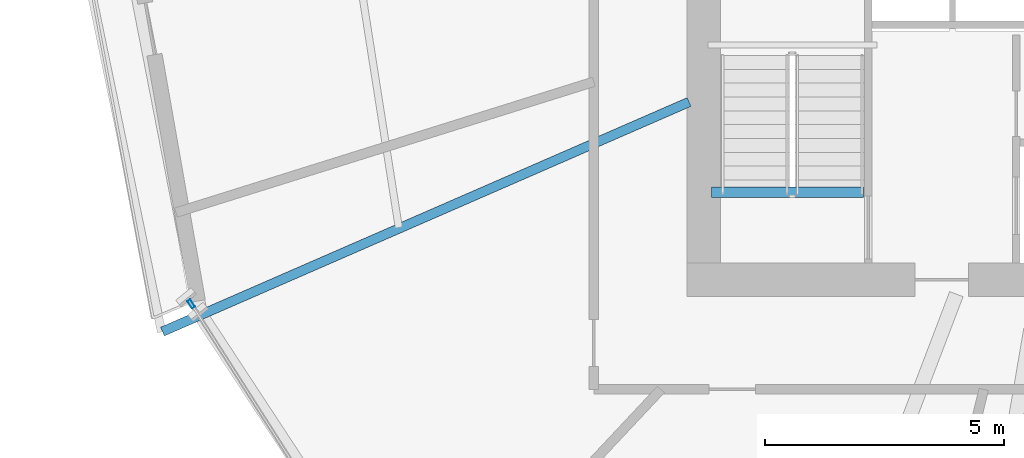
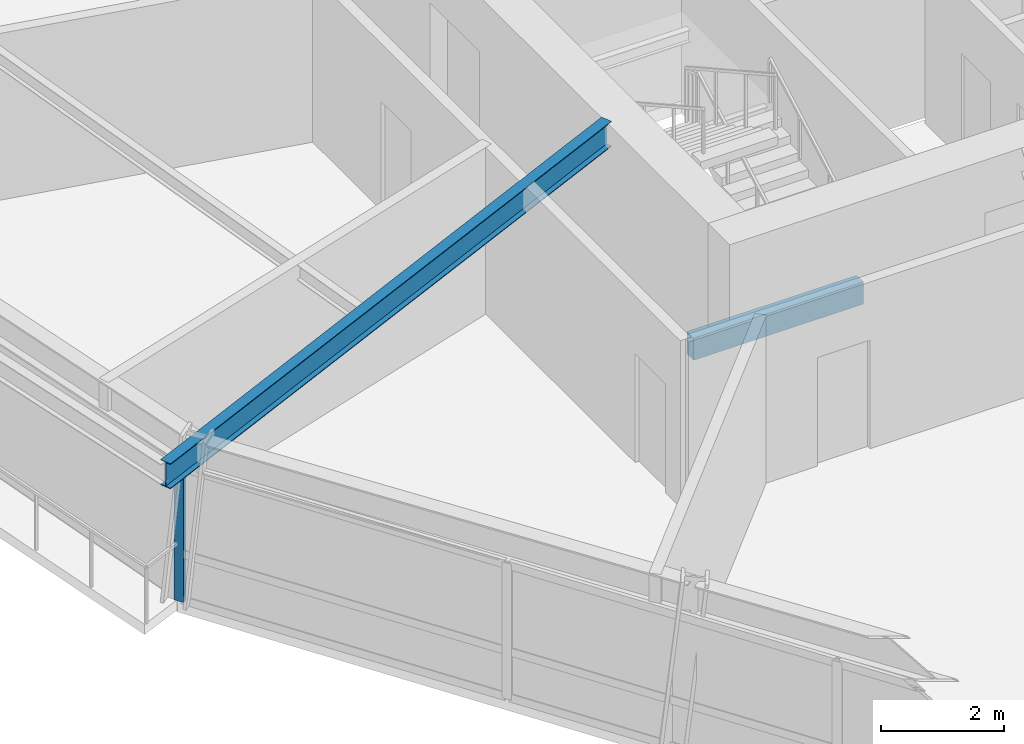
# One storey, part 4 of 16: 2 beams, 1 member, 1 element without a shape of its own.
"""IFC4 building model written with IfcOpenShell, lengths in metres."""

from ifc_helpers import new_model, si_unit, direction, frame, origin, origin_2d, place, context, subcontext, project, spatial, rectangle, hollow_rectangle, i_section, extrude, source, transform, mapped, material, material_profile, profile_set, type_object, element, aggregate, save


model = new_model("IFC4")

# Units and contexts
model_context = context("Model", 3, precision=1e-05, world=origin(), true_north=direction((0.0, 1.0)))
body_context = subcontext(model_context, "Body", "Model", "MODEL_VIEW")
ifc_project = project(units=[si_unit("LENGTHUNIT", "METRE"), si_unit("AREAUNIT", "SQUARE_METRE"), si_unit("VOLUMEUNIT", "CUBIC_METRE"), si_unit("PLANEANGLEUNIT", "RADIAN"), si_unit("MASSUNIT", "GRAM", prefix="KILO")], contexts=[model_context])

# Site, building, storey
site_placement = place(None, origin())
site = spatial("IfcSite", under=ifc_project, at=site_placement, CompositionType="ELEMENT")
building_placement = place(site_placement, origin())
building = spatial("IfcBuilding", under=site, at=building_placement, Name="Olszyna Solenne Hotel", CompositionType="ELEMENT")
storey_placement = place(building_placement, frame((0.0, 0.0, 127.0)))
storey = spatial("IfcBuildingStorey", under=building, at=storey_placement, Name="L33", CompositionType="ELEMENT", Elevation=127.0)

# Beam
ifc_material_1 = material(Name="Steel S355J2", Category="steel")
ifc_material_profile_1 = material_profile(ifc_material_1, i_section(OverallWidth=0.199951171875, OverallDepth=0.5, WebThickness=0.01025390625, FlangeThickness=0.01611328125, at=origin_2d()), Name="IPE 500", Category="load-bearing")
ifc_profile_set_1 = profile_set([ifc_material_profile_1], Name="Steel S355J2")
beam_type_1 = type_object("IfcBeamType", Name="BM-F3", PredefinedType="BEAM", material=ifc_profile_set_1)
shared_shape_1 = source(origin(), body_context, "Body", "SweptSolid", [
    extrude(i_section(OverallWidth=0.199951171875, OverallDepth=0.5, WebThickness=0.01025390625, FlangeThickness=0.01611328125, at=origin_2d()), origin(), (0.0, 0.0, 1.0), 12.0390625),
])
beam_1_placement = place(storey_placement, frame((18.41015625, 18.06201171875, 3.050048828125), z_axis=(0.91665462859, 0.399680237045, 0.0), x_axis=(-0.399680237045, 0.91665462859, 0.0)))
element("IfcBeam", 1, at=beam_1_placement, inside=storey, type_object=beam_type_1, Name="Radial floor girder BM-F3 B-L33-1004", PredefinedType="BEAM", context=body_context, shape_type="MappedRepresentation", body=[
    mapped(shared_shape_1, transform((0.0, 0.0, 0.0), x_axis=(1.0, 0.0, 0.0), y_axis=(0.0, 1.0, 0.0), z_axis=(0.0, 0.0, 1.0), scale=1.0)),
])

# Curtain wall, member
ifc_material_2 = material(Name="Anodised bronze aluminium", Category="aluminium")
curtain_wall_type = type_object("IfcCurtainWallType", Name="CW-SYS-3", PredefinedType="NOTDEFINED", material=ifc_material_2)
curtain_wall_placement = place(storey_placement, origin())
curtain_wall = element("IfcCurtainWall", 2, at=curtain_wall_placement, inside=storey, type_object=curtain_wall_type, Name="Unitised curtain wall CW-SYS-3 CW-L33-01", PredefinedType="NOTDEFINED")
ifc_material_profile_2 = material_profile(ifc_material_2, hollow_rectangle(XDim=0.074951171875, YDim=0.179931640625, WallThickness=0.00439453125, at=origin_2d()), Name="MULL 180x75x4.5", Category="load-bearing")
ifc_profile_set_2 = profile_set([ifc_material_profile_2], Name="Anodised bronze aluminium")
member_type = type_object("IfcMemberType", Name="CW-M2", PredefinedType="MULLION", material=ifc_profile_set_2)
shared_shape_2 = source(origin(), body_context, "Body", "SweptSolid", [
    extrude(hollow_rectangle(XDim=0.074951171875, YDim=0.179931640625, WallThickness=0.00439453125, at=origin_2d()), origin(), (0.0, 0.0, 1.0), 2.69189453125),
])
member_placement = place(storey_placement, frame((19.012939453125, 18.64306640625, 0.0), z_axis=(0.0, 0.0, 1.0), x_axis=(0.843144487516, 0.537687058772, 0.0)))
member = element("IfcMember", 3, at=member_placement, type_object=member_type, Name="Curtain-wall mullion CW-M2 CM-L33-01-01", PredefinedType="MULLION", context=body_context, shape_type="MappedRepresentation", body=[
    mapped(shared_shape_2, transform((0.0, 0.0, 0.0), x_axis=(1.0, 0.0, 0.0), y_axis=(0.0, 1.0, 0.0), z_axis=(0.0, 0.0, 1.0), scale=1.0)),
])
aggregate(curtain_wall, [member])

# Beam
ifc_material_3 = material(Name="Concrete C50/60", Category="concrete")
ifc_material_profile_3 = material_profile(ifc_material_3, rectangle(XDim=0.219970703125, YDim=0.43994140625, at=origin_2d()), Name="RC 220x440", Category="load-bearing")
ifc_profile_set_3 = profile_set([ifc_material_profile_3], Name="Concrete C50/60")
beam_type_2 = type_object("IfcBeamType", Name="BM-ST1", PredefinedType="BEAM", material=ifc_profile_set_3)
shared_shape_3 = source(origin(), body_context, "Body", "SweptSolid", [
    extrude(rectangle(XDim=0.219970703125, YDim=0.43994140625, at=origin_2d()), origin(), (0.0, 0.0, 1.0), 3.18017578125),
])
beam_2_placement = place(storey_placement, frame((33.10009765625, 20.97998046875, -0.205078125), z_axis=(-1.0, 0.0, 0.0), x_axis=(0.0, -1.0, 0.0)))
element("IfcBeam", 4, at=beam_2_placement, inside=storey, type_object=beam_type_2, Name="Concrete stair trimmer beam BM-ST1 SHB-ST1-0195", PredefinedType="BEAM", context=body_context, shape_type="MappedRepresentation", body=[
    mapped(shared_shape_3, transform((0.0, 0.0, 0.0), x_axis=(1.0, 0.0, 0.0), y_axis=(0.0, 1.0, 0.0), z_axis=(0.0, 0.0, 1.0), scale=1.0)),
])

save(model, "model.ifc")
